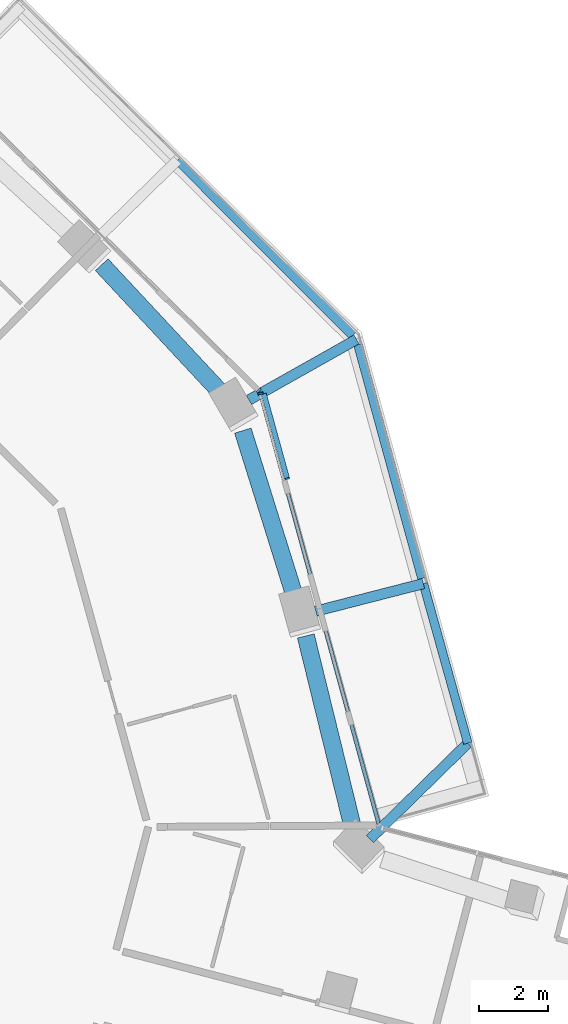
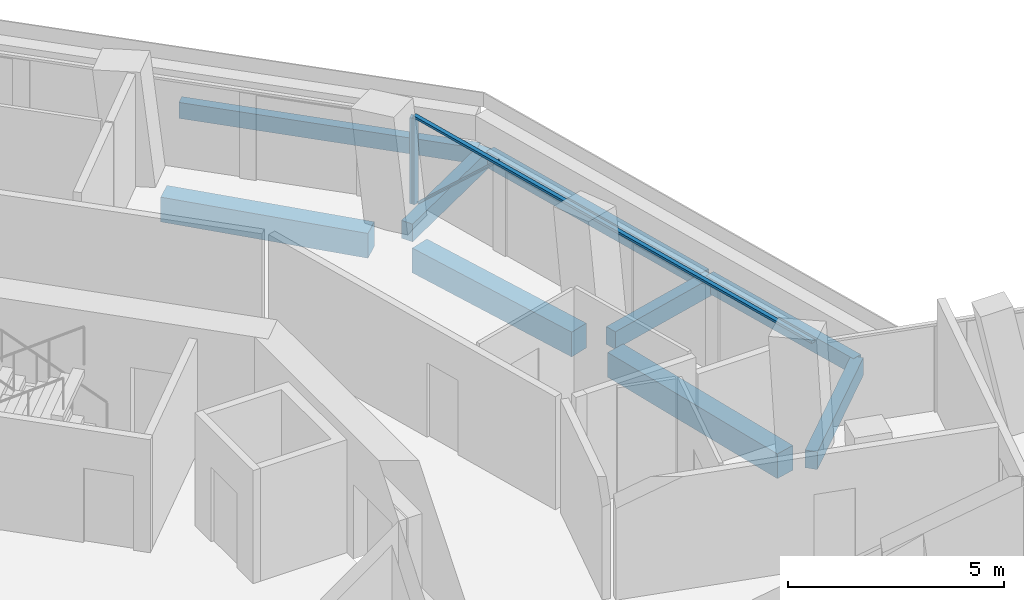
# One storey, part 9 of 26: 9 beams, 4 members, 2 elements without a shape of their own.
"""IFC4 building model written with IfcOpenShell, lengths in metres."""

from ifc_helpers import new_model, si_unit, direction, frame, origin, origin_2d, place, context, subcontext, project, spatial, rectangle, extrude, material, layer, layer_set, material_profile, profile_set, type_object, element, aggregate, save


model = new_model("IFC4")

# Units and contexts
model_context = context("Model", 3, precision=1e-05, world=origin(), true_north=direction((0.0, 1.0)))
body_context = subcontext(model_context, "Body", "Model", "MODEL_VIEW")
ifc_project = project(units=[si_unit("LENGTHUNIT", "METRE"), si_unit("AREAUNIT", "SQUARE_METRE"), si_unit("VOLUMEUNIT", "CUBIC_METRE"), si_unit("PLANEANGLEUNIT", "RADIAN"), si_unit("MASSUNIT", "GRAM", prefix="KILO")], contexts=[model_context])

# Site, building, storey
site_placement = place(None, origin())
site = spatial("IfcSite", under=ifc_project, at=site_placement, CompositionType="ELEMENT")
building_placement = place(site_placement, origin())
building = spatial("IfcBuilding", under=site, at=building_placement, Name="Verdalira Terraces Hotel", CompositionType="ELEMENT")
storey_placement = place(building_placement, frame((0.0, 0.0, 96.5)))
storey = spatial("IfcBuildingStorey", under=building, at=storey_placement, Name="L22", CompositionType="ELEMENT", Elevation=96.5)

# Beams
ifc_material_1 = material(Name="Concrete C40", Category="concrete")
ifc_material_profile_1 = material_profile(ifc_material_1, rectangle(XDim=0.300049, YDim=0.5, at=origin_2d()), Name="RC 300X500")
ifc_profile_set_1 = profile_set([ifc_material_profile_1], Name="Concrete C40")
beam_type_1 = type_object("IfcBeamType", Name="Balcony cantilever beam RC 300X500 C40", PredefinedType="BEAM", material=ifc_profile_set_1)
beam_1_placement = place(storey_placement, frame((24.768799, -0.237305, -0.560059), z_axis=(0.714454422, 0.699681984, 0.0), x_axis=(-0.699681984, 0.714454422, 0.0)))
element("IfcBeam", 1, at=beam_1_placement, inside=storey, type_object=beam_type_1, Name="Balcony cantilever beam R39-1", PredefinedType="BEAM", context=body_context, shape_type="SweptSolid", body=[
    extrude(rectangle(XDim=0.300049, YDim=0.5, at=origin_2d()), origin(), (0.0, 0.0, 1.0), 3.949951),
])
beam_2_placement = place(storey_placement, frame((23.209961, 6.331543, -0.560059), z_axis=(0.968593247, 0.248650601, 0.0), x_axis=(-0.248650601, 0.968593247, 0.0)))
element("IfcBeam", 2, at=beam_2_placement, inside=storey, type_object=beam_type_1, Name="Balcony cantilever beam R39-2", PredefinedType="BEAM", context=body_context, shape_type="SweptSolid", body=[
    extrude(rectangle(XDim=0.300049, YDim=0.5, at=origin_2d()), origin(), (0.0, 0.0, 1.0), 3.200928),
])
beam_3_placement = place(storey_placement, frame((21.284912, 12.41748, -0.560059), z_axis=(0.871201318, 0.490925924, 0.0), x_axis=(-0.490925924, 0.871201318, 0.0)))
element("IfcBeam", 3, at=beam_3_placement, inside=storey, type_object=beam_type_1, Name="Balcony cantilever beam R39-3", PredefinedType="BEAM", context=body_context, shape_type="SweptSolid", body=[
    extrude(rectangle(XDim=0.300049, YDim=0.5, at=origin_2d()), origin(), (0.0, 0.0, 1.0), 3.556641),
])
ifc_material_2 = material(Name="Concrete C40", Category="concrete")
ifc_material_profile_2 = material_profile(ifc_material_2, rectangle(XDim=0.25, YDim=0.449951, at=origin_2d()), Name="RC 250X450")
ifc_profile_set_2 = profile_set([ifc_material_profile_2], Name="Concrete C40")
beam_type_2 = type_object("IfcBeamType", Name="Balcony edge beam RC 250X450 C40", PredefinedType="BEAM", material=ifc_profile_set_2)
beam_4_placement = place(storey_placement, frame((27.59082, 2.526367, -0.534912), z_axis=(-0.268118402, 0.963385968, 0.0), x_axis=(-0.963385968, -0.268118402, 0.0)))
element("IfcBeam", 4, at=beam_4_placement, inside=storey, type_object=beam_type_2, Name="Balcony edge beam R39-1", PredefinedType="BEAM", context=body_context, shape_type="SweptSolid", body=[
    extrude(rectangle(XDim=0.25, YDim=0.449951, at=origin_2d()), origin(), (0.0, 0.0, 1.0), 4.775879),
])
beam_5_placement = place(storey_placement, frame((26.270508, 7.272217, -0.534912), z_axis=(-0.264104308, 0.964494124, 0.0), x_axis=(-0.964494124, -0.264104308, 0.0)))
element("IfcBeam", 5, at=beam_5_placement, inside=storey, type_object=beam_type_2, Name="Balcony edge beam R39-2", PredefinedType="BEAM", context=body_context, shape_type="SweptSolid", body=[
    extrude(rectangle(XDim=0.25, YDim=0.449951, at=origin_2d()), origin(), (0.0, 0.0, 1.0), 6.990479),
])
beam_6_placement = place(storey_placement, frame((24.273438, 14.273682, -0.534912), z_axis=(-0.706970109, 0.707243427, 0.0), x_axis=(-0.707243427, -0.706970109, 0.0)))
element("IfcBeam", 6, at=beam_6_placement, inside=storey, type_object=beam_type_2, Name="Balcony edge beam R39-3", PredefinedType="BEAM", context=body_context, shape_type="SweptSolid", body=[
    extrude(rectangle(XDim=0.25, YDim=0.449951, at=origin_2d()), origin(), (0.0, 0.0, 1.0), 7.145996),
])

# Curtain wall, member
ifc_material_3 = material(Name="Clear glass", Category="glass")
ifc_layer = layer(ifc_material_3, 0.14990234375)
ifc_layer_set = layer_set([ifc_layer], Name="CW1 curtain wall")
curtain_wall_type = type_object("IfcCurtainWallType", Name="CW1 curtain wall", PredefinedType="NOTDEFINED", material=ifc_layer_set)
curtain_wall_1_placement = place(storey_placement, origin())
curtain_wall_1 = element("IfcCurtainWall", 7, at=curtain_wall_1_placement, inside=storey, type_object=curtain_wall_type, Name="CW1 curtain wall L22 edge 39", PredefinedType="NOTDEFINED")
ifc_material_4 = material(Name="Terracotta frame", Category="masonry")
ifc_material_profile_3 = material_profile(ifc_material_4, rectangle(XDim=0.060059, YDim=0.149902, at=origin_2d()), Name="MU 60x150")
ifc_profile_set_3 = profile_set([ifc_material_profile_3], Name="Terracotta frame")
member_type_1 = type_object("IfcMemberType", Name="CW1 mullion 60x150", PredefinedType="MULLION", material=ifc_profile_set_3)
member_1_placement = place(storey_placement, frame((21.616455, 12.605957, 0.0), z_axis=(0.0, 0.0, 1.0), x_axis=(-0.264882987, 0.964280562, 0.0)))
member_1 = element("IfcMember", 8, at=member_1_placement, type_object=member_type_1, Name="CW1 mullion", PredefinedType="MULLION", context=body_context, shape_type="SweptSolid", body=[
    extrude(rectangle(XDim=0.060059, YDim=0.149902, at=origin_2d()), origin(), (0.0, 0.0, 1.0), 2.425049),
])

curtain_wall_2_placement = place(storey_placement, origin())
curtain_wall_2 = element("IfcCurtainWall", 9, at=curtain_wall_2_placement, inside=storey, type_object=curtain_wall_type, Name="CW1 curtain wall L22 edge 40", PredefinedType="NOTDEFINED")
member_2_placement = place(storey_placement, frame((21.567383, 12.689453, 0.0), z_axis=(0.0, 0.0, 1.0), x_axis=(-0.711535677, 0.70264997, 0.0)))
member_2 = element("IfcMember", 10, at=member_2_placement, type_object=member_type_1, Name="CW1 mullion", PredefinedType="MULLION", context=body_context, shape_type="SweptSolid", body=[
    extrude(rectangle(XDim=0.060059, YDim=0.149902, at=origin_2d()), origin(), (0.0, 0.0, 1.0), 2.425049),
])
aggregate(curtain_wall_2, [member_2])

# Member
ifc_material_5 = material(Name="Terracotta frame", Category="masonry")
ifc_material_profile_4 = material_profile(ifc_material_5, rectangle(XDim=0.110107, YDim=0.064941, at=origin_2d()), Name="TR 65x110")
ifc_profile_set_4 = profile_set([ifc_material_profile_4], Name="Terracotta frame")
member_type_2 = type_object("IfcMemberType", Name="CW1 transom 65x110", PredefinedType="USERDEFINED", material=ifc_profile_set_4)
member_3_placement = place(storey_placement, frame((25.04126, 0.137939, 2.45752), z_axis=(-0.264886321, 0.964279647, 0.0), x_axis=(-0.964279647, -0.264886321, 0.0)))
member_3 = element("IfcMember", 11, at=member_3_placement, type_object=member_type_2, Name="CW1 transom", ObjectType="TRANSOM", PredefinedType="USERDEFINED", context=body_context, shape_type="SweptSolid", body=[
    extrude(rectangle(XDim=0.110107, YDim=0.064941, at=origin_2d()), origin(), (0.0, 0.0, 1.0), 12.959717),
])

ifc_material_6 = material(Name="Terracotta frame", Category="masonry")
ifc_material_profile_5 = material_profile(ifc_material_6, rectangle(XDim=0.149902, YDim=0.060059, at=origin_2d()), Name="GB 60x150")
ifc_profile_set_5 = profile_set([ifc_material_profile_5], Name="Terracotta frame")
member_type_3 = type_object("IfcMemberType", Name="Diagonal glazing bar 60x150", PredefinedType="USERDEFINED", material=ifc_profile_set_5)
member_4_placement = place(storey_placement, frame((22.382812, 10.151367, 2.401855), z_axis=(-0.192451617, 0.700625437, -0.687085418), x_axis=(-0.964282897, -0.264874487, 0.0)))
member_4 = element("IfcMember", 12, at=member_4_placement, type_object=member_type_3, Name="Diagonal glazing bar", ObjectType="GLAZING BAR", PredefinedType="USERDEFINED", context=body_context, shape_type="SweptSolid", body=[
    extrude(rectangle(XDim=0.149902, YDim=0.060059, at=origin_2d()), origin(), (0.0, 0.0, 1.0), 3.461914),
])

aggregate(curtain_wall_1, [member_1, member_3, member_4])

# Beams
ifc_material_7 = material(Name="Concrete C70", Category="concrete")
ifc_material_profile_6 = material_profile(ifc_material_7, rectangle(XDim=0.5, YDim=0.699951, at=origin_2d()), Name="RC 500X700")
ifc_profile_set_6 = profile_set([ifc_material_profile_6], Name="Concrete C70")
beam_type_3 = type_object("IfcBeamType", Name="Spandrel beam RC 500X700 C70", PredefinedType="SPANDREL", material=ifc_profile_set_6)
beam_7_placement = place(storey_placement, frame((24.273438, 0.110107, -0.659912), z_axis=(-0.238228423, 0.971209153, 0.0), x_axis=(-0.971209153, -0.238228423, 0.0)))
element("IfcBeam", 13, at=beam_7_placement, inside=storey, type_object=beam_type_3, Name="Spandrel beam B24", PredefinedType="SPANDREL", context=body_context, shape_type="SweptSolid", body=[
    extrude(rectangle(XDim=0.5, YDim=0.699951, at=origin_2d()), origin(), (0.0, 0.0, 1.0), 5.671387),
])
beam_8_placement = place(storey_placement, frame((22.605713, 6.751709, -0.659912), z_axis=(-0.298580053, 0.954384593, 0.0), x_axis=(-0.954384593, -0.298580053, 0.0)))
element("IfcBeam", 14, at=beam_8_placement, inside=storey, type_object=beam_type_3, Name="Spandrel beam B25", PredefinedType="SPANDREL", context=body_context, shape_type="SweptSolid", body=[
    extrude(rectangle(XDim=0.5, YDim=0.699951, at=origin_2d()), origin(), (0.0, 0.0, 1.0), 5.012451),
])
beam_9_placement = place(storey_placement, frame((20.459961, 12.647705, -0.659912), z_axis=(-0.681794287, 0.731543949, 0.0), x_axis=(-0.731543949, -0.681794287, 0.0)))
element("IfcBeam", 15, at=beam_9_placement, inside=storey, type_object=beam_type_3, Name="Spandrel beam B26", PredefinedType="SPANDREL", context=body_context, shape_type="SweptSolid", body=[
    extrude(rectangle(XDim=0.5, YDim=0.699951, at=origin_2d()), origin(), (0.0, 0.0, 1.0), 5.015381),
])

save(model, "model.ifc")
